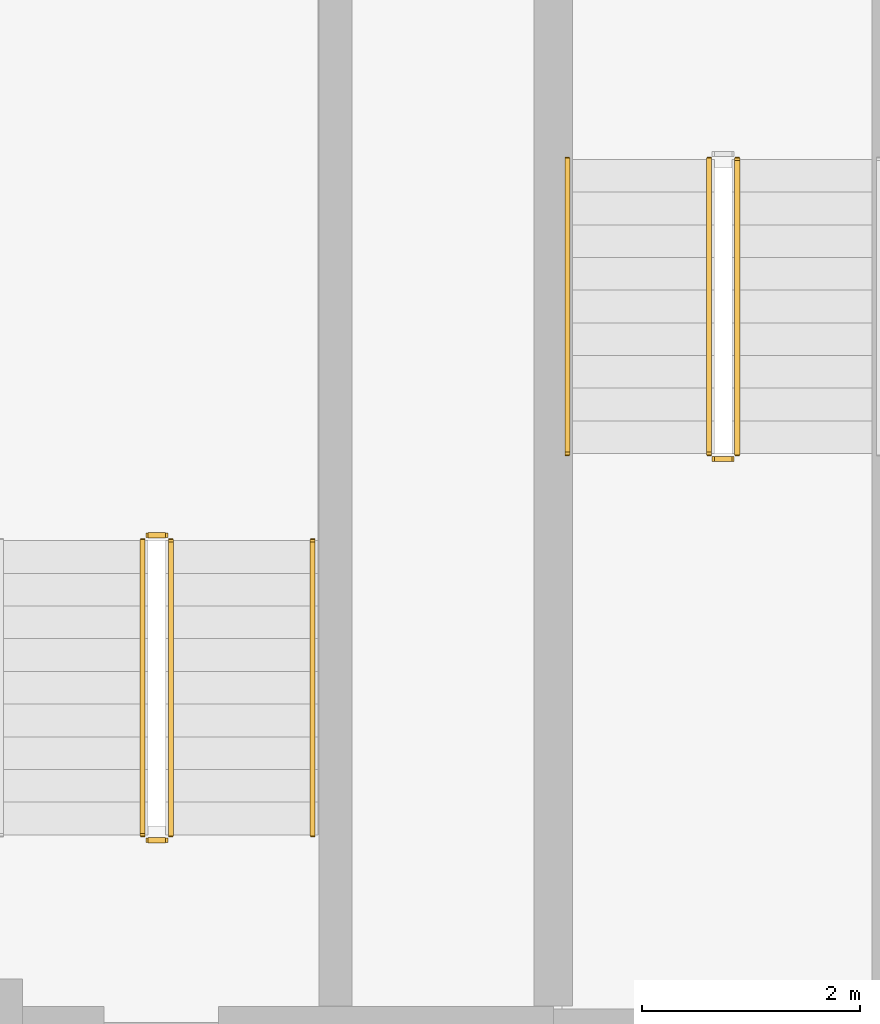
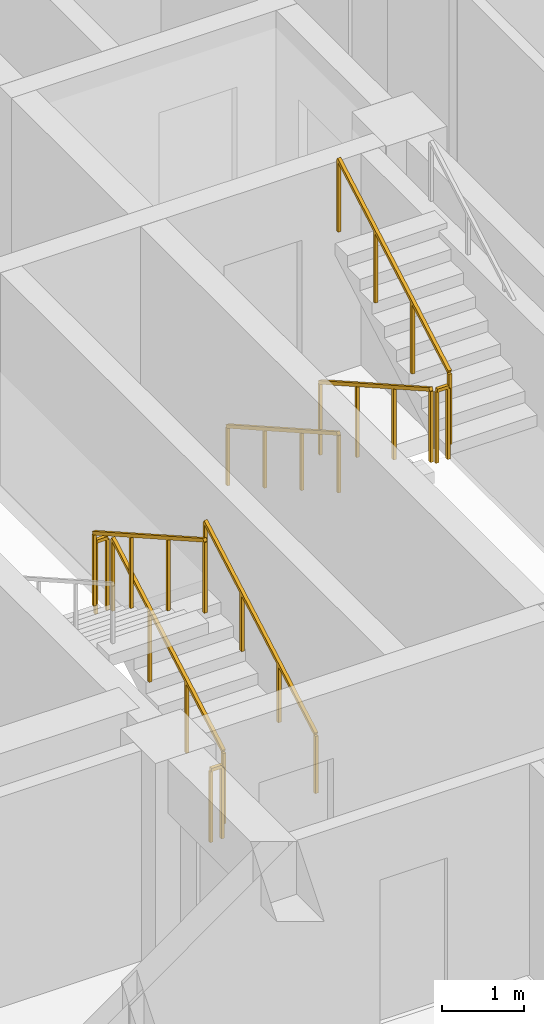
# One storey, part 9 of 14: 9 railings.
"""IFC4 building model written with IfcOpenShell, lengths in metres."""

import ifcopenshell
import ifcopenshell.guid

model = None  # the IFC model being written
_history = None  # IfcOwnerHistory: only IFC2X3 demands one
_inside = {}  # id of a spatial element -> (the spatial element, [elements in it])
_under = {}  # id of a project, library or spatial element -> (it, [spatial elements below it])
_declared = {}  # id of a project -> (the project, [libraries it declares])
_typed = {}  # id of a type object -> (the type object, [elements of that type])
_made_of = {}  # id of a material, layer set ... -> (it, [elements and type objects made of it])


def new_model(schema):
    """Start an empty IFC model of exactly this schema.

    Asked for "IFC4X3", IfcOpenShell would pick the latest addendum, in which some entities
    have other attributes; the version numbers below select the first issue.
    IFC2X3 requires an IfcOwnerHistory on every rooted entity: one is made here for all.
    """
    global model, _history
    if schema == "IFC4X3":
        model = ifcopenshell.file(schema_version=(4, 3, 0, 0))
    else:
        model = ifcopenshell.file(schema=schema)
    _inside.clear()
    _under.clear()
    _declared.clear()
    _typed.clear()
    _made_of.clear()
    _history = None
    if model.schema == "IFC2X3":
        org = make("IfcOrganization", Name="unknown")
        user = make(
            "IfcPersonAndOrganization",
            ThePerson=make("IfcPerson", FamilyName="unknown"),
            TheOrganization=org,
        )
        app = make(
            "IfcApplication",
            ApplicationDeveloper=org,
            Version="unknown",
            ApplicationFullName="unknown",
            ApplicationIdentifier="unknown",
        )
        _history = make(
            "IfcOwnerHistory",
            OwningUser=user,
            OwningApplication=app,
            ChangeAction="ADDED",
            CreationDate=0,
        )
    return model


def make(cls, **values):
    """One entity of the class cls with the attributes given. An attribute that is None is left unset."""
    return model.create_entity(
        cls, **{name: value for name, value in values.items() if value is not None}
    )


def rooted(cls, **values):
    """An entity with a GlobalId (a new one), such as an element, a storey or a relation."""
    return make(cls, GlobalId=ifcopenshell.guid.new(), OwnerHistory=_history, **values)


def si_unit(unit_type, name, prefix=None):
    """IfcSIUnit, for example si_unit("LENGTHUNIT", "METRE", prefix="MILLI")."""
    return make("IfcSIUnit", UnitType=unit_type, Prefix=prefix, Name=name)


def assignment(units):
    """IfcUnitAssignment: the units of a project."""
    return None if units is None else make("IfcUnitAssignment", Units=units)


def point(xyz):
    """IfcCartesianPoint."""
    return None if xyz is None else make("IfcCartesianPoint", Coordinates=xyz)


def direction(xyz):
    """IfcDirection."""
    return None if xyz is None else make("IfcDirection", DirectionRatios=xyz)


def frame(location, z_axis=None, x_axis=None):
    """IfcAxis2Placement3D, a coordinate frame: its origin and axes. An axis left out is left unset."""
    return make(
        "IfcAxis2Placement3D",
        Location=point(location),
        Axis=direction(z_axis),
        RefDirection=direction(x_axis),
    )


def frame_2d(location, x_axis=None):
    """IfcAxis2Placement2D, a coordinate frame in the plane: its origin and x axis."""
    return make(
        "IfcAxis2Placement2D", Location=point(location), RefDirection=direction(x_axis)
    )


def origin():
    """The frame at (0, 0, 0) with its axes left unset."""
    return frame((0.0, 0.0, 0.0))


def origin_2d():
    """The frame at (0, 0) in the plane with its x axis left unset."""
    return frame_2d((0.0, 0.0))


def place(relative_to, where):
    """IfcLocalPlacement: puts the frame where relative to a parent placement (None: the world)."""
    return make(
        "IfcLocalPlacement", PlacementRelTo=relative_to, RelativePlacement=where
    )


def context(
    kind, dimensions, precision=None, world=None, true_north=None, identifier=None
):
    """IfcGeometricRepresentationContext, for example the 3D "Model" context."""
    return make(
        "IfcGeometricRepresentationContext",
        ContextIdentifier=identifier,
        ContextType=kind,
        CoordinateSpaceDimension=dimensions,
        Precision=precision,
        WorldCoordinateSystem=world,
        TrueNorth=true_north,
    )


def subcontext(parent, identifier, kind, view, scale=None):
    """IfcGeometricRepresentationSubContext, for example "Body" below "Model"."""
    return make(
        "IfcGeometricRepresentationSubContext",
        ContextIdentifier=identifier,
        ContextType=kind,
        ParentContext=parent,
        TargetScale=scale,
        TargetView=view,
    )


def project(units=None, contexts=None):
    """IfcProject with its units and contexts."""
    return rooted(
        "IfcProject",
        Name="project",
        RepresentationContexts=contexts,
        UnitsInContext=assignment(units),
    )


def spatial(cls, under=None, at=None, **own):
    """A site, building, storey or space (cls), placed at a placement, below another one or the project."""
    s = rooted(cls, ObjectPlacement=at, **own)
    if under is not None:
        _under.setdefault(under.id(), (under, []))[1].append(s)
    return s


def profile(cls, at=None, kind="AREA", **sizes):
    """A parametric profile (cls). Its sizes go by their IFC names, for example OverallWidth=200.0."""
    return make(cls, ProfileType=kind, Position=at, **sizes)


def rectangle(**sizes):
    """IfcRectangleProfileDef."""
    return profile("IfcRectangleProfileDef", **sizes)


def extrude(swept, where, along, depth):
    """IfcExtrudedAreaSolid: the profile swept, set in the frame where, extruded along a direction by depth."""
    return make(
        "IfcExtrudedAreaSolid",
        SweptArea=swept,
        Position=where,
        ExtrudedDirection=direction(along),
        Depth=depth,
    )


def shape(context_of_items, identifier, shape_type, items):
    """IfcShapeRepresentation: the items that make up one representation, for example the "Body"."""
    return make(
        "IfcShapeRepresentation",
        ContextOfItems=context_of_items,
        RepresentationIdentifier=identifier,
        RepresentationType=shape_type,
        Items=items,
    )


def material(Name=None, Category=None):
    """IfcMaterial."""
    return make("IfcMaterial", Name=Name, Category=Category)


def made_of(thing, what):
    """Note that an element or type object is made of a material, layer set ...; save() writes the relation."""
    if what is not None:
        _made_of.setdefault(what.id(), (what, []))[1].append(thing)
    return thing


def type_object(cls, material=None, **own):
    """A type object (cls), such as IfcWallType, which elements share."""
    return made_of(rooted(cls, **own), material)


def element(
    cls,
    number,
    at=None,
    inside=None,
    cuts=None,
    type_object=None,
    material=None,
    context=None,
    identifier="Body",
    shape_type=None,
    held_by="IfcProductDefinitionShape",
    body=None,
    shapes=None,
    **own,
):
    """One element of the class cls, such as IfcWall. Its Tag is "e" and its number.

    at: its placement. inside: the storey or other place that contains it. cuts: it is an
    opening in that element (IfcRelVoidsElement). A single representation is given by context,
    identifier, shape_type and body (its items); several are given by shapes. held_by: the class
    of the entity that holds the representations. save() writes the other relations.
    """
    e = rooted(cls, Tag="e%d" % number, ObjectPlacement=at, **own)
    if body is not None:
        shapes = [shape(context, identifier, shape_type, body)]
    if shapes is not None:
        e.Representation = make(held_by, Representations=shapes)
    if inside is not None:
        _inside.setdefault(inside.id(), (inside, []))[1].append(e)
    if cuts is not None:
        rooted(
            "IfcRelVoidsElement", RelatingBuildingElement=cuts, RelatedOpeningElement=e
        )
    if type_object is not None:
        _typed.setdefault(type_object.id(), (type_object, []))[1].append(e)
    return made_of(e, material)


def aggregate(whole, parts):
    """IfcRelAggregates: a whole, such as a stair, and the parts it consists of."""
    return rooted("IfcRelAggregates", RelatingObject=whole, RelatedObjects=parts)


def save(model, path):
    """Write the relations noted so far, then the file.

    IfcRelAggregates (storeys below a building ...), IfcRelContainedInSpatialStructure (elements
    in a storey), IfcRelDefinesByType, IfcRelAssociatesMaterial and IfcRelDeclares: one each for
    every whole, place, type object, material and project.
    """
    for whole, parts in _under.values():
        aggregate(whole, parts)
    for where, things in _inside.values():
        rooted(
            "IfcRelContainedInSpatialStructure",
            RelatedElements=things,
            RelatingStructure=where,
        )
    for kind, things in _typed.values():
        rooted("IfcRelDefinesByType", RelatedObjects=things, RelatingType=kind)
    for what, things in _made_of.values():
        rooted("IfcRelAssociatesMaterial", RelatedObjects=things, RelatingMaterial=what)
    for by, libraries in _declared.values():
        rooted("IfcRelDeclares", RelatingContext=by, RelatedDefinitions=libraries)
    model.write(path)


model = new_model("IFC4")

# Units and contexts
model_context = context("Model", 3, precision=1e-05, world=origin(), true_north=direction((0.0, 1.0)))
body_context = subcontext(model_context, "Body", "Model", "MODEL_VIEW")
ifc_project = project(units=[si_unit("LENGTHUNIT", "METRE"), si_unit("AREAUNIT", "SQUARE_METRE"), si_unit("VOLUMEUNIT", "CUBIC_METRE"), si_unit("PLANEANGLEUNIT", "RADIAN"), si_unit("MASSUNIT", "GRAM", prefix="KILO")], contexts=[model_context])

# Site, building, storey
site_placement = place(None, origin())
site = spatial("IfcSite", under=ifc_project, at=site_placement, CompositionType="ELEMENT")
building_placement = place(site_placement, origin())
building = spatial("IfcBuilding", under=site, at=building_placement, Name="Zulmaris Gate Convention Tower", CompositionType="ELEMENT")
storey_placement = place(building_placement, frame((0.0, 0.0, 205.06005859375)))
storey = spatial("IfcBuildingStorey", under=building, at=storey_placement, Name="L53", CompositionType="ELEMENT", Elevation=205.06005859375)

# Railings
ifc_material_1 = material(Name="Painted Galvanised Steel", Category="steel")
railing_type_1 = type_object("IfcRailingType", Name="RL-STG-1150", PredefinedType="GUARDRAIL", material=ifc_material_1)
railing_1_placement = place(storey_placement, frame((-13.27001953125, -2.0, 0.169921875)))
element("IfcRailing", 1, at=railing_1_placement, inside=storey, type_object=railing_type_1, Name="L53 ST-1 stair guard 1", PredefinedType="GUARDRAIL", context=body_context, shape_type="SweptSolid", body=[
    extrude(rectangle(XDim=0.048095703125, YDim=0.048095703125, at=origin_2d()), frame((0.0, 0.0, 1.076171875), z_axis=(0.0, -0.870014312096, 0.49302646658), x_axis=(1.0, 0.0, 0.0)), (0.0, 0.0, 1.0), 3.103271484375),
    extrude(rectangle(XDim=0.0419921875, YDim=0.0419921875, at=origin_2d()), origin(), (0.0, 0.0, 1.0), 1.052001953125),
    extrude(rectangle(XDim=0.0419921875, YDim=0.0419921875, at=origin_2d()), frame((0.0, -0.89990234375, 0.510009765625)), (0.0, 0.0, 1.0), 1.052001953125),
    extrude(rectangle(XDim=0.0419921875, YDim=0.0419921875, at=origin_2d()), frame((0.0, -1.800048828125, 1.02001953125)), (0.0, 0.0, 1.0), 1.052001953125),
    extrude(rectangle(XDim=0.0419921875, YDim=0.0419921875, at=origin_2d()), frame((0.0, -2.699951171875, 1.530029296875)), (0.0, 0.0, 1.0), 1.052001953125),
])
railing_2_placement = place(storey_placement, frame((-13.219970703125, -4.75, 1.699951171875)))
element("IfcRailing", 2, at=railing_2_placement, inside=storey, type_object=railing_type_1, Name="L53 ST-1 stair guard 2", PredefinedType="GUARDRAIL", context=body_context, shape_type="SweptSolid", body=[
    extrude(rectangle(XDim=0.048095703125, YDim=0.048095703125, at=origin_2d()), frame((0.0, 0.0, 1.076171875), z_axis=(1.0, 0.0, 0.0), x_axis=(0.0, 1.0, 0.0)), (0.0, 0.0, 1.0), 0.159912109375),
    extrude(rectangle(XDim=0.0419921875, YDim=0.0419921875, at=origin_2d()), origin(), (0.0, 0.0, 1.0), 1.052001953125),
    extrude(rectangle(XDim=0.0419921875, YDim=0.0419921875, at=origin_2d()), frame((0.159912109375, 0.0, 0.0)), (0.0, 0.0, 1.0), 1.052001953125),
])
for number, where, name in (
    (3, (-13.010009765625, -4.699951171875, 1.869873046875), "L53 ST-1 stair guard 3"),
    (4, (-18.2099609375, -8.199951171875, 0.169921875), "L53 ST-3 stair guard 1"),
):
    element("IfcRailing", number, at=place(storey_placement, frame(where)), inside=storey, type_object=railing_type_1, Name=name, PredefinedType="GUARDRAIL", context=body_context, shape_type="SweptSolid", body=[
        extrude(rectangle(XDim=0.048095703125, YDim=0.048095703125, at=origin_2d()), frame((0.0, 0.0, 1.076171875), z_axis=(0.0, 0.870014312096, 0.49302646658), x_axis=(-1.0, 0.0, 0.0)), (0.0, 0.0, 1.0), 3.103271484375),
        extrude(rectangle(XDim=0.0419921875, YDim=0.0419921875, at=origin_2d()), origin(), (0.0, 0.0, 1.0), 1.052001953125),
        extrude(rectangle(XDim=0.0419921875, YDim=0.0419921875, at=origin_2d()), frame((0.0, 0.89990234375, 0.510009765625)), (0.0, 0.0, 1.0), 1.052001953125),
        extrude(rectangle(XDim=0.0419921875, YDim=0.0419921875, at=origin_2d()), frame((0.0, 1.800048828125, 1.02001953125)), (0.0, 0.0, 1.0), 1.052001953125),
        extrude(rectangle(XDim=0.0419921875, YDim=0.0419921875, at=origin_2d()), frame((0.0, 2.699951171875, 1.530029296875)), (0.0, 0.0, 1.0), 1.052001953125),
    ])
railing_3_placement = place(storey_placement, frame((-18.260009765625, -5.449951171875, 1.699951171875)))
element("IfcRailing", 5, at=railing_3_placement, inside=storey, type_object=railing_type_1, Name="L53 ST-3 stair guard 2", PredefinedType="GUARDRAIL", context=body_context, shape_type="SweptSolid", body=[
    extrude(rectangle(XDim=0.048095703125, YDim=0.048095703125, at=origin_2d()), frame((0.0, 0.0, 1.076171875), z_axis=(-1.0, 0.0, 0.0), x_axis=(0.0, -1.0, 0.0)), (0.0, 0.0, 1.0), 0.159912109375),
    extrude(rectangle(XDim=0.0419921875, YDim=0.0419921875, at=origin_2d()), origin(), (0.0, 0.0, 1.0), 1.052001953125),
    extrude(rectangle(XDim=0.0419921875, YDim=0.0419921875, at=origin_2d()), frame((-0.159912109375, 0.0, 0.0)), (0.0, 0.0, 1.0), 1.052001953125),
])
railing_4_placement = place(storey_placement, frame((-18.469970703125, -5.5, 1.869873046875)))
element("IfcRailing", 6, at=railing_4_placement, inside=storey, type_object=railing_type_1, Name="L53 ST-3 stair guard 3", PredefinedType="GUARDRAIL", context=body_context, shape_type="SweptSolid", body=[
    extrude(rectangle(XDim=0.048095703125, YDim=0.048095703125, at=origin_2d()), frame((0.0, 0.0, 1.076171875), z_axis=(0.0, -0.870014312096, 0.49302646658), x_axis=(1.0, 0.0, 0.0)), (0.0, 0.0, 1.0), 3.103271484375),
    extrude(rectangle(XDim=0.0419921875, YDim=0.0419921875, at=origin_2d()), origin(), (0.0, 0.0, 1.0), 1.052001953125),
    extrude(rectangle(XDim=0.0419921875, YDim=0.0419921875, at=origin_2d()), frame((0.0, -0.89990234375, 0.510009765625)), (0.0, 0.0, 1.0), 1.052001953125),
    extrude(rectangle(XDim=0.0419921875, YDim=0.0419921875, at=origin_2d()), frame((0.0, -1.800048828125, 1.02001953125)), (0.0, 0.0, 1.0), 1.052001953125),
    extrude(rectangle(XDim=0.0419921875, YDim=0.0419921875, at=origin_2d()), frame((0.0, -2.699951171875, 1.530029296875)), (0.0, 0.0, 1.0), 1.052001953125),
])
railing_5_placement = place(storey_placement, frame((-18.260009765625, -8.25, 0.0)))
element("IfcRailing", 7, at=railing_5_placement, inside=storey, type_object=railing_type_1, Name="L53 ST-3 stair guard 4", PredefinedType="GUARDRAIL", context=body_context, shape_type="SweptSolid", body=[
    extrude(rectangle(XDim=0.048095703125, YDim=0.048095703125, at=origin_2d()), frame((0.0, 0.0, 1.076171875), z_axis=(-1.0, 0.0, 0.0), x_axis=(0.0, -1.0, 0.0)), (0.0, 0.0, 1.0), 0.159912109375),
    extrude(rectangle(XDim=0.0419921875, YDim=0.0419921875, at=origin_2d()), origin(), (0.0, 0.0, 1.0), 1.052001953125),
    extrude(rectangle(XDim=0.0419921875, YDim=0.0419921875, at=origin_2d()), frame((-0.159912109375, 0.0, 0.0)), (0.0, 0.0, 1.0), 1.052001953125),
])
ifc_material_2 = material(Name="Brushed Stainless Steel", Category="steel")
railing_type_2 = type_object("IfcRailingType", Name="RL-STH-900", PredefinedType="HANDRAIL", material=ifc_material_2)
railing_6_placement = place(storey_placement, frame((-14.570068359375, -2.0, 0.169921875)))
element("IfcRailing", 8, at=railing_6_placement, inside=storey, type_object=railing_type_2, Name="L53 ST-1 stair handrail 1", PredefinedType="HANDRAIL", context=body_context, shape_type="SweptSolid", body=[
    extrude(rectangle(XDim=0.048095703125, YDim=0.048095703125, at=origin_2d()), frame((0.0, 0.0, 0.8759765625), z_axis=(0.0, -0.870014312096, 0.49302646658), x_axis=(1.0, 0.0, 0.0)), (0.0, 0.0, 1.0), 3.103271484375),
    extrude(rectangle(XDim=0.0419921875, YDim=0.0419921875, at=origin_2d()), origin(), (0.0, 0.0, 1.0), 0.851806640625),
    extrude(rectangle(XDim=0.0419921875, YDim=0.0419921875, at=origin_2d()), frame((0.0, -0.89990234375, 0.510009765625)), (0.0, 0.0, 1.0), 0.851806640625),
    extrude(rectangle(XDim=0.0419921875, YDim=0.0419921875, at=origin_2d()), frame((0.0, -1.800048828125, 1.02001953125)), (0.0, 0.0, 1.0), 0.851806640625),
    extrude(rectangle(XDim=0.0419921875, YDim=0.0419921875, at=origin_2d()), frame((0.0, -2.699951171875, 1.530029296875)), (0.0, 0.0, 1.0), 0.851806640625),
])
railing_7_placement = place(storey_placement, frame((-16.909912109375, -8.199951171875, 0.169921875)))
element("IfcRailing", 9, at=railing_7_placement, inside=storey, type_object=railing_type_2, Name="L53 ST-3 stair handrail 1", PredefinedType="HANDRAIL", context=body_context, shape_type="SweptSolid", body=[
    extrude(rectangle(XDim=0.048095703125, YDim=0.048095703125, at=origin_2d()), frame((0.0, 0.0, 0.8759765625), z_axis=(0.0, 0.870014312096, 0.49302646658), x_axis=(-1.0, 0.0, 0.0)), (0.0, 0.0, 1.0), 3.103271484375),
    extrude(rectangle(XDim=0.0419921875, YDim=0.0419921875, at=origin_2d()), origin(), (0.0, 0.0, 1.0), 0.851806640625),
    extrude(rectangle(XDim=0.0419921875, YDim=0.0419921875, at=origin_2d()), frame((0.0, 0.89990234375, 0.510009765625)), (0.0, 0.0, 1.0), 0.851806640625),
    extrude(rectangle(XDim=0.0419921875, YDim=0.0419921875, at=origin_2d()), frame((0.0, 1.800048828125, 1.02001953125)), (0.0, 0.0, 1.0), 0.851806640625),
    extrude(rectangle(XDim=0.0419921875, YDim=0.0419921875, at=origin_2d()), frame((0.0, 2.699951171875, 1.530029296875)), (0.0, 0.0, 1.0), 0.851806640625),
])

save(model, "model.ifc")
